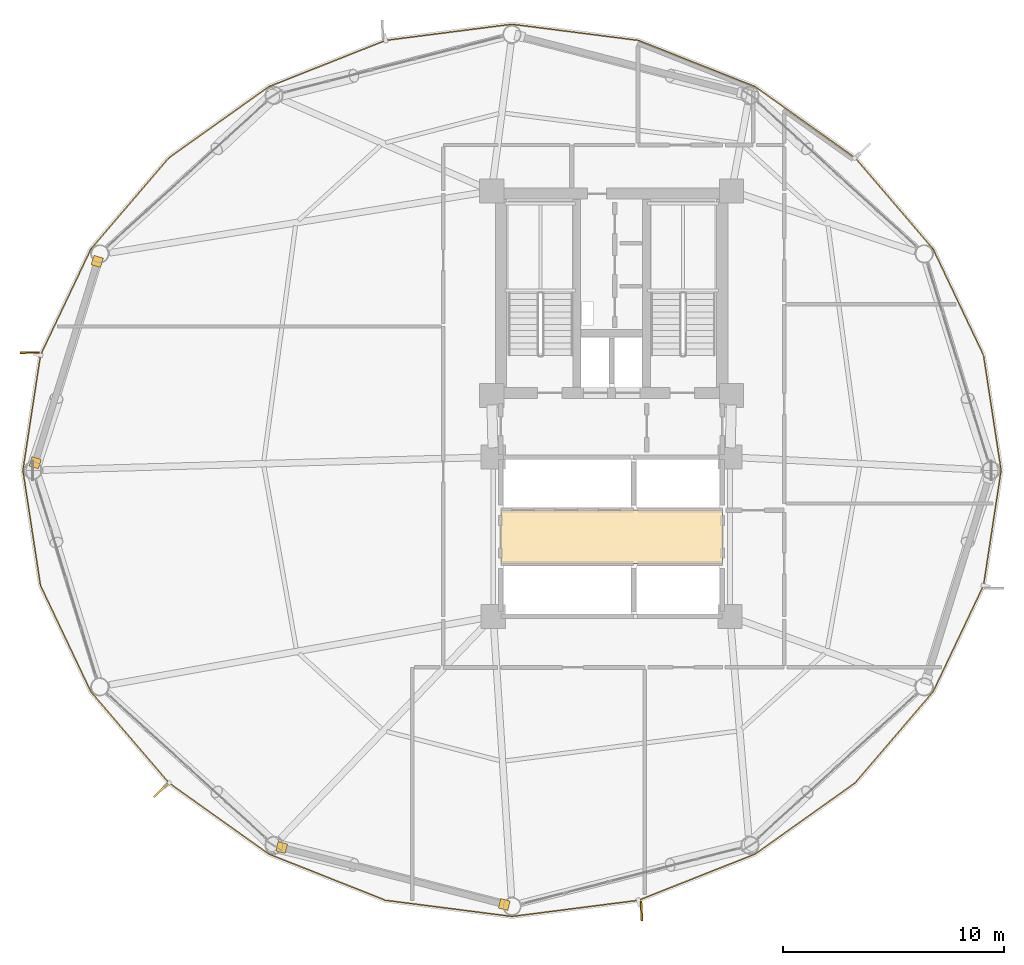
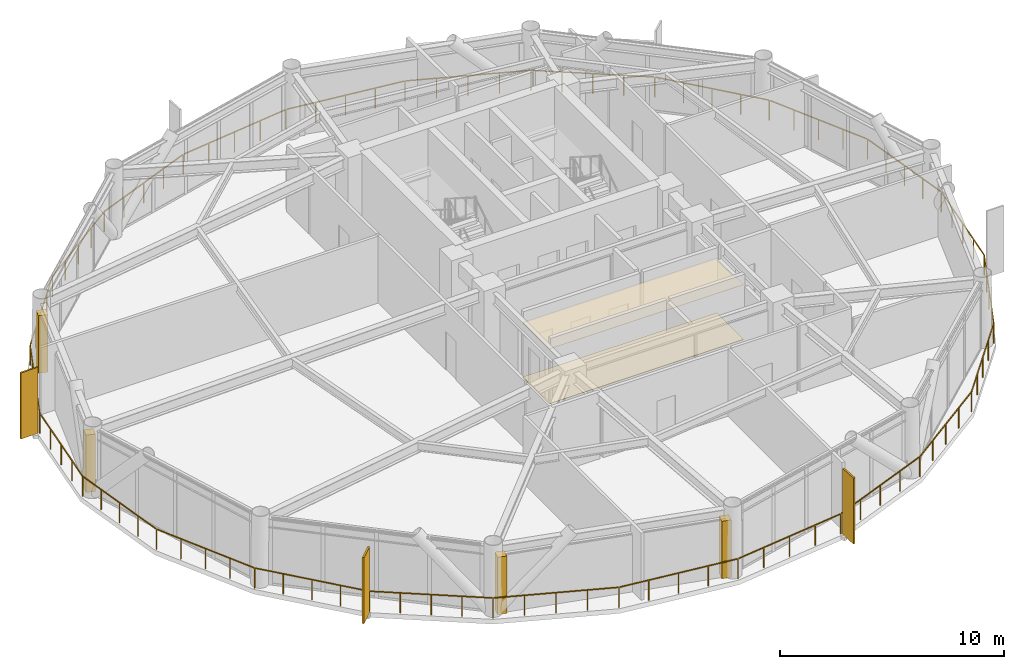
# One storey, part 23 of 25: 6 coverings, 3 shading devices, 1 railing.
"""IFC4 building model written with IfcOpenShell, lengths in metres."""

import ifcopenshell
import ifcopenshell.guid

model = None  # the IFC model being written
_history = None  # IfcOwnerHistory: only IFC2X3 demands one
_inside = {}  # id of a spatial element -> (the spatial element, [elements in it])
_under = {}  # id of a project, library or spatial element -> (it, [spatial elements below it])
_declared = {}  # id of a project -> (the project, [libraries it declares])
_typed = {}  # id of a type object -> (the type object, [elements of that type])
_made_of = {}  # id of a material, layer set ... -> (it, [elements and type objects made of it])


def new_model(schema):
    """Start an empty IFC model of exactly this schema.

    Asked for "IFC4X3", IfcOpenShell would pick the latest addendum, in which some entities
    have other attributes; the version numbers below select the first issue.
    IFC2X3 requires an IfcOwnerHistory on every rooted entity: one is made here for all.
    """
    global model, _history
    if schema == "IFC4X3":
        model = ifcopenshell.file(schema_version=(4, 3, 0, 0))
    else:
        model = ifcopenshell.file(schema=schema)
    _inside.clear()
    _under.clear()
    _declared.clear()
    _typed.clear()
    _made_of.clear()
    _history = None
    if model.schema == "IFC2X3":
        org = make("IfcOrganization", Name="unknown")
        user = make(
            "IfcPersonAndOrganization",
            ThePerson=make("IfcPerson", FamilyName="unknown"),
            TheOrganization=org,
        )
        app = make(
            "IfcApplication",
            ApplicationDeveloper=org,
            Version="unknown",
            ApplicationFullName="unknown",
            ApplicationIdentifier="unknown",
        )
        _history = make(
            "IfcOwnerHistory",
            OwningUser=user,
            OwningApplication=app,
            ChangeAction="ADDED",
            CreationDate=0,
        )
    return model


def make(cls, **values):
    """One entity of the class cls with the attributes given. An attribute that is None is left unset."""
    return model.create_entity(
        cls, **{name: value for name, value in values.items() if value is not None}
    )


def rooted(cls, **values):
    """An entity with a GlobalId (a new one), such as an element, a storey or a relation."""
    return make(cls, GlobalId=ifcopenshell.guid.new(), OwnerHistory=_history, **values)


def si_unit(unit_type, name, prefix=None):
    """IfcSIUnit, for example si_unit("LENGTHUNIT", "METRE", prefix="MILLI")."""
    return make("IfcSIUnit", UnitType=unit_type, Prefix=prefix, Name=name)


def assignment(units):
    """IfcUnitAssignment: the units of a project."""
    return None if units is None else make("IfcUnitAssignment", Units=units)


def point(xyz):
    """IfcCartesianPoint."""
    return None if xyz is None else make("IfcCartesianPoint", Coordinates=xyz)


def direction(xyz):
    """IfcDirection."""
    return None if xyz is None else make("IfcDirection", DirectionRatios=xyz)


def frame(location, z_axis=None, x_axis=None):
    """IfcAxis2Placement3D, a coordinate frame: its origin and axes. An axis left out is left unset."""
    return make(
        "IfcAxis2Placement3D",
        Location=point(location),
        Axis=direction(z_axis),
        RefDirection=direction(x_axis),
    )


def frame_2d(location, x_axis=None):
    """IfcAxis2Placement2D, a coordinate frame in the plane: its origin and x axis."""
    return make(
        "IfcAxis2Placement2D", Location=point(location), RefDirection=direction(x_axis)
    )


def origin():
    """The frame at (0, 0, 0) with its axes left unset."""
    return frame((0.0, 0.0, 0.0))


def origin_2d():
    """The frame at (0, 0) in the plane with its x axis left unset."""
    return frame_2d((0.0, 0.0))


def place(relative_to, where):
    """IfcLocalPlacement: puts the frame where relative to a parent placement (None: the world)."""
    return make(
        "IfcLocalPlacement", PlacementRelTo=relative_to, RelativePlacement=where
    )


def context(
    kind, dimensions, precision=None, world=None, true_north=None, identifier=None
):
    """IfcGeometricRepresentationContext, for example the 3D "Model" context."""
    return make(
        "IfcGeometricRepresentationContext",
        ContextIdentifier=identifier,
        ContextType=kind,
        CoordinateSpaceDimension=dimensions,
        Precision=precision,
        WorldCoordinateSystem=world,
        TrueNorth=true_north,
    )


def subcontext(parent, identifier, kind, view, scale=None):
    """IfcGeometricRepresentationSubContext, for example "Body" below "Model"."""
    return make(
        "IfcGeometricRepresentationSubContext",
        ContextIdentifier=identifier,
        ContextType=kind,
        ParentContext=parent,
        TargetScale=scale,
        TargetView=view,
    )


def project(units=None, contexts=None):
    """IfcProject with its units and contexts."""
    return rooted(
        "IfcProject",
        Name="project",
        RepresentationContexts=contexts,
        UnitsInContext=assignment(units),
    )


def spatial(cls, under=None, at=None, **own):
    """A site, building, storey or space (cls), placed at a placement, below another one or the project."""
    s = rooted(cls, ObjectPlacement=at, **own)
    if under is not None:
        _under.setdefault(under.id(), (under, []))[1].append(s)
    return s


def polyline(points):
    """IfcPolyline through the points."""
    return make("IfcPolyline", Points=[point(p) for p in points])


def profile(cls, at=None, kind="AREA", **sizes):
    """A parametric profile (cls). Its sizes go by their IFC names, for example OverallWidth=200.0."""
    return make(cls, ProfileType=kind, Position=at, **sizes)


def rectangle(**sizes):
    """IfcRectangleProfileDef."""
    return profile("IfcRectangleProfileDef", **sizes)


def outline(outer, holes=None, kind="AREA"):
    """IfcArbitraryClosedProfileDef: a profile drawn as a closed curve; with holes, ...WithVoids."""
    if holes is None:
        return make("IfcArbitraryClosedProfileDef", ProfileType=kind, OuterCurve=outer)
    return make(
        "IfcArbitraryProfileDefWithVoids",
        ProfileType=kind,
        OuterCurve=outer,
        InnerCurves=holes,
    )


def extrude(swept, where, along, depth):
    """IfcExtrudedAreaSolid: the profile swept, set in the frame where, extruded along a direction by depth."""
    return make(
        "IfcExtrudedAreaSolid",
        SweptArea=swept,
        Position=where,
        ExtrudedDirection=direction(along),
        Depth=depth,
    )


def shape(context_of_items, identifier, shape_type, items):
    """IfcShapeRepresentation: the items that make up one representation, for example the "Body"."""
    return make(
        "IfcShapeRepresentation",
        ContextOfItems=context_of_items,
        RepresentationIdentifier=identifier,
        RepresentationType=shape_type,
        Items=items,
    )


def source(mapping_origin, context_of_items, identifier, shape_type, items):
    """IfcRepresentationMap: a shape defined once, which mapped items show again and again."""
    return make(
        "IfcRepresentationMap",
        MappingOrigin=mapping_origin,
        MappedRepresentation=shape(context_of_items, identifier, shape_type, items),
    )


def transform(
    local_origin,
    x_axis=None,
    y_axis=None,
    z_axis=None,
    scale=None,
    scale2=None,
    scale3=None,
    uniform=True,
):
    """IfcCartesianTransformationOperator3D, or its non-uniform kind. x_axis, y_axis, z_axis: its Axis1, 2, 3."""
    if uniform:
        return make(
            "IfcCartesianTransformationOperator3D",
            Axis1=direction(x_axis),
            Axis2=direction(y_axis),
            LocalOrigin=point(local_origin),
            Scale=scale,
            Axis3=direction(z_axis),
        )
    return make(
        "IfcCartesianTransformationOperator3DnonUniform",
        Axis1=direction(x_axis),
        Axis2=direction(y_axis),
        LocalOrigin=point(local_origin),
        Scale=scale,
        Axis3=direction(z_axis),
        Scale2=scale2,
        Scale3=scale3,
    )


def mapped(mapping_source, mapping_target):
    """IfcMappedItem: shows the shape of a source again, moved by a transform."""
    return make(
        "IfcMappedItem", MappingSource=mapping_source, MappingTarget=mapping_target
    )


def material(Name=None, Category=None):
    """IfcMaterial."""
    return make("IfcMaterial", Name=Name, Category=Category)


def layer(
    of_material, thickness, ventilated=None, Name=None, Category=None, Priority=None
):
    """IfcMaterialLayer: one layer of a wall or slab, of a material (None: an air gap)."""
    return make(
        "IfcMaterialLayer",
        Material=of_material,
        LayerThickness=thickness,
        IsVentilated=ventilated,
        Name=Name,
        Category=Category,
        Priority=Priority,
    )


def layer_set(layers, Name=None):
    """IfcMaterialLayerSet."""
    return make("IfcMaterialLayerSet", MaterialLayers=layers, LayerSetName=Name)


def made_of(thing, what):
    """Note that an element or type object is made of a material, layer set ...; save() writes the relation."""
    if what is not None:
        _made_of.setdefault(what.id(), (what, []))[1].append(thing)
    return thing


def type_object(cls, material=None, **own):
    """A type object (cls), such as IfcWallType, which elements share."""
    return made_of(rooted(cls, **own), material)


def type_shapes(of_type, sources):
    """Give a type object the sources (RepresentationMaps) that its elements show as mapped items."""
    of_type.RepresentationMaps = sources


def element(
    cls,
    number,
    at=None,
    inside=None,
    cuts=None,
    type_object=None,
    material=None,
    context=None,
    identifier="Body",
    shape_type=None,
    held_by="IfcProductDefinitionShape",
    body=None,
    shapes=None,
    **own,
):
    """One element of the class cls, such as IfcWall. Its Tag is "e" and its number.

    at: its placement. inside: the storey or other place that contains it. cuts: it is an
    opening in that element (IfcRelVoidsElement). A single representation is given by context,
    identifier, shape_type and body (its items); several are given by shapes. held_by: the class
    of the entity that holds the representations. save() writes the other relations.
    """
    e = rooted(cls, Tag="e%d" % number, ObjectPlacement=at, **own)
    if body is not None:
        shapes = [shape(context, identifier, shape_type, body)]
    if shapes is not None:
        e.Representation = make(held_by, Representations=shapes)
    if inside is not None:
        _inside.setdefault(inside.id(), (inside, []))[1].append(e)
    if cuts is not None:
        rooted(
            "IfcRelVoidsElement", RelatingBuildingElement=cuts, RelatedOpeningElement=e
        )
    if type_object is not None:
        _typed.setdefault(type_object.id(), (type_object, []))[1].append(e)
    return made_of(e, material)


def aggregate(whole, parts):
    """IfcRelAggregates: a whole, such as a stair, and the parts it consists of."""
    return rooted("IfcRelAggregates", RelatingObject=whole, RelatedObjects=parts)


def save(model, path):
    """Write the relations noted so far, then the file.

    IfcRelAggregates (storeys below a building ...), IfcRelContainedInSpatialStructure (elements
    in a storey), IfcRelDefinesByType, IfcRelAssociatesMaterial and IfcRelDeclares: one each for
    every whole, place, type object, material and project.
    """
    for whole, parts in _under.values():
        aggregate(whole, parts)
    for where, things in _inside.values():
        rooted(
            "IfcRelContainedInSpatialStructure",
            RelatedElements=things,
            RelatingStructure=where,
        )
    for kind, things in _typed.values():
        rooted("IfcRelDefinesByType", RelatedObjects=things, RelatingType=kind)
    for what, things in _made_of.values():
        rooted("IfcRelAssociatesMaterial", RelatedObjects=things, RelatingMaterial=what)
    for by, libraries in _declared.values():
        rooted("IfcRelDeclares", RelatingContext=by, RelatedDefinitions=libraries)
    model.write(path)


model = new_model("IFC4")

# Units and contexts
model_context = context("Model", 3, precision=1e-05, world=origin(), true_north=direction((0.0, 1.0)))
body_context = subcontext(model_context, "Body", "Model", "MODEL_VIEW")
ifc_project = project(units=[si_unit("LENGTHUNIT", "METRE"), si_unit("AREAUNIT", "SQUARE_METRE"), si_unit("VOLUMEUNIT", "CUBIC_METRE"), si_unit("PLANEANGLEUNIT", "RADIAN"), si_unit("MASSUNIT", "GRAM", prefix="KILO")], contexts=[model_context])

# Site, building, storey
site_placement = place(None, origin())
site = spatial("IfcSite", under=ifc_project, at=site_placement, CompositionType="ELEMENT")
building_placement = place(site_placement, origin())
building = spatial("IfcBuilding", under=site, at=building_placement, Name="Varnakorn Sky Granary", CompositionType="ELEMENT")
storey_placement = place(building_placement, frame((0.0, 0.0, 99.300048828125)))
storey = spatial("IfcBuildingStorey", under=building, at=storey_placement, Name="L24", CompositionType="ELEMENT", Elevation=99.300048828125)

# Coverings
ifc_material_1 = material(Name="Perforated Acoustic Mineral-Fibre Ceiling", Category="gypsum")
ifc_layer_1 = layer(ifc_material_1, 0.02001953125, Name="Perforated Acoustic Mineral-Fibre Ceiling")
ifc_layer_set_1 = layer_set([ifc_layer_1], Name="Perforated Acoustic Mineral-Fibre Ceiling")
covering_type_1 = type_object("IfcCoveringType", Name="CV-CEIL-20", PredefinedType="CEILING", material=ifc_layer_set_1)
covering_1_placement = place(storey_placement, frame((0.0, 0.0, 2.989990234375)))
element("IfcCovering", 1, at=covering_1_placement, inside=storey, type_object=covering_type_1, Name="Lift Lobby Perforated Acoustic Ceiling L24", PredefinedType="CEILING", context=body_context, shape_type="SweptSolid", body=[
    extrude(outline(polyline([(-2.0, -4.199951171875), (8.0, -4.199951171875), (8.0, -1.800048828125), (-2.0, -1.800048828125), (-2.0, -4.199951171875)])), origin(), (0.0, 0.0, 1.0), 0.02001953125),
])
ifc_material_2 = material(Name="Honed Epoxy Terrazzo Topping", Category="concrete")
ifc_layer_2 = layer(ifc_material_2, 0.030029296875, Name="Honed Epoxy Terrazzo Topping")
ifc_layer_set_2 = layer_set([ifc_layer_2], Name="Honed Epoxy Terrazzo Topping")
covering_type_2 = type_object("IfcCoveringType", Name="CV-FLOR-30", PredefinedType="FLOORING", material=ifc_layer_set_2)
covering_2_placement = place(storey_placement, origin())
element("IfcCovering", 2, at=covering_2_placement, inside=storey, type_object=covering_type_2, Name="Lift Lobby Terrazzo Floor Finish L24", PredefinedType="FLOORING", context=body_context, shape_type="SweptSolid", body=[
    extrude(outline(polyline([(-2.0, -4.199951171875), (8.0, -4.199951171875), (8.0, -1.800048828125), (-2.0, -1.800048828125), (-2.0, -4.199951171875)])), origin(), (0.0, 0.0, 1.0), 0.030029296875),
])

# Railing
ifc_material_3 = material(Name="Anodised Bronze Aluminium Alloy 6063-T6", Category="aluminium")
railing_type = type_object("IfcRailingType", Name="RL-BAL-1120", PredefinedType="BALUSTRADE", material=ifc_material_3)
railing_placement = place(storey_placement, frame((20.598876953125, 0.0, 0.0)))
element("IfcRailing", 3, at=railing_placement, inside=storey, type_object=railing_type, Name="Perimeter Slab-Edge Safety Guard L24", PredefinedType="BALUSTRADE", context=body_context, shape_type="SweptSolid", body=[
    extrude(rectangle(XDim=0.048095703125, YDim=0.048095703125, at=origin_2d()), frame((-0.004150390625, -0.027587890625, 1.09619140625), z_axis=(-0.151157632081, -0.988509671305, 0.0), x_axis=(0.988509671305, -0.151157632081, 0.0)), (0.0, 0.0, 1.0), 5.2060546875),
    extrude(rectangle(XDim=0.048095703125, YDim=0.048095703125, at=origin_2d()), frame((-0.807373046875, -5.22705078125, 1.09619140625), z_axis=(-0.428587570333, -0.903500246019, 0.0), x_axis=(0.903500246019, -0.428587570333, 0.0)), (0.0, 0.0, 1.0), 5.261474609375),
    extrude(rectangle(XDim=0.048095703125, YDim=0.048095703125, at=origin_2d()), frame((-3.0927734375, -10.02734375, 1.09619140625), z_axis=(-0.650130504047, -0.759822563305, 0.0), x_axis=(0.759822563305, -0.650130504047, 0.0)), (0.0, 0.0, 1.0), 5.361328125),
    extrude(rectangle(XDim=0.048095703125, YDim=0.048095703125, at=origin_2d()), frame((-6.619140625, -14.138427734375, 1.09619140625), z_axis=(-0.814743645483, -0.579821345024, 0.0), x_axis=(0.579821345024, -0.814743645483, 0.0)), (0.0, 0.0, 1.0), 5.489501953125),
    extrude(rectangle(XDim=0.048095703125, YDim=0.048095703125, at=origin_2d()), frame((-11.140625, -17.347900390625, 1.09619140625), z_axis=(-0.929809067339, -0.368042250692, 0.0), x_axis=(0.368042250692, -0.929809067339, 0.0)), (0.0, 0.0, 1.0), 5.61767578125),
    extrude(rectangle(XDim=0.048095703125, YDim=0.048095703125, at=origin_2d()), frame((-16.417724609375, -19.429443359375, 1.09619140625), z_axis=(-0.991913461188, -0.126916056957, 0.0), x_axis=(0.126916056957, -0.991913461188, 0.0)), (0.0, 0.0, 1.0), 5.699462890625),
    extrude(rectangle(XDim=0.048095703125, YDim=0.048095703125, at=origin_2d()), frame((-22.126708984375, -20.152587890625, 1.09619140625), z_axis=(-0.991913461188, 0.126916056957, 0.0), x_axis=(-0.126916056957, -0.991913461188, 0.0)), (0.0, 0.0, 1.0), 5.699462890625),
    extrude(rectangle(XDim=0.048095703125, YDim=0.048095703125, at=origin_2d()), frame((-27.833984375, -19.41552734375, 1.09619140625), z_axis=(-0.929809067339, 0.368042250692, 0.0), x_axis=(-0.368042250692, -0.929809067339, 0.0)), (0.0, 0.0, 1.0), 5.61767578125),
    extrude(rectangle(XDim=0.048095703125, YDim=0.048095703125, at=origin_2d()), frame((-33.10595703125, -17.321533203125, 1.09619140625), z_axis=(-0.814743645483, 0.579821345024, 0.0), x_axis=(-0.579821345024, -0.814743645483, 0.0)), (0.0, 0.0, 1.0), 5.489501953125),
    extrude(rectangle(XDim=0.048095703125, YDim=0.048095703125, at=origin_2d()), frame((-37.61962890625, -14.10107421875, 1.09619140625), z_axis=(-0.650130504047, 0.759822563305, 0.0), x_axis=(-0.759822563305, -0.650130504047, 0.0)), (0.0, 0.0, 1.0), 5.361328125),
    extrude(rectangle(XDim=0.048095703125, YDim=0.048095703125, at=origin_2d()), frame((-41.13525390625, -9.980712890625, 1.09619140625), z_axis=(-0.428587570333, 0.903500246019, 0.0), x_axis=(-0.903500246019, -0.428587570333, 0.0)), (0.0, 0.0, 1.0), 5.261474609375),
    extrude(rectangle(XDim=0.048095703125, YDim=0.048095703125, at=origin_2d()), frame((-43.406494140625, -5.174072265625, 1.09619140625), z_axis=(-0.151157632081, 0.988509671305, 0.0), x_axis=(-0.988509671305, -0.151157632081, 0.0)), (0.0, 0.0, 1.0), 5.2060546875),
    extrude(rectangle(XDim=0.048095703125, YDim=0.048095703125, at=origin_2d()), frame((-44.193603515625, 0.027587890625, 1.09619140625), z_axis=(0.151157632081, 0.988509671305, 0.0), x_axis=(-0.988509671305, 0.151157632081, 0.0)), (0.0, 0.0, 1.0), 5.2060546875),
    extrude(rectangle(XDim=0.048095703125, YDim=0.048095703125, at=origin_2d()), frame((-43.390380859375, 5.22705078125, 1.09619140625), z_axis=(0.428587570333, 0.903500246019, 0.0), x_axis=(-0.903500246019, 0.428587570333, 0.0)), (0.0, 0.0, 1.0), 5.261474609375),
    extrude(rectangle(XDim=0.048095703125, YDim=0.048095703125, at=origin_2d()), frame((-41.10498046875, 10.02734375, 1.09619140625), z_axis=(0.650130504047, 0.759822563305, 0.0), x_axis=(-0.759822563305, 0.650130504047, 0.0)), (0.0, 0.0, 1.0), 5.361328125),
    extrude(rectangle(XDim=0.048095703125, YDim=0.048095703125, at=origin_2d()), frame((-37.57861328125, 14.138427734375, 1.09619140625), z_axis=(0.814743645483, 0.579821345024, 0.0), x_axis=(-0.579821345024, 0.814743645483, 0.0)), (0.0, 0.0, 1.0), 5.489501953125),
    extrude(rectangle(XDim=0.048095703125, YDim=0.048095703125, at=origin_2d()), frame((-33.05712890625, 17.347900390625, 1.09619140625), z_axis=(0.929809067339, 0.368042250692, 0.0), x_axis=(-0.368042250692, 0.929809067339, 0.0)), (0.0, 0.0, 1.0), 5.61767578125),
    extrude(rectangle(XDim=0.048095703125, YDim=0.048095703125, at=origin_2d()), frame((-27.780029296875, 19.429443359375, 1.09619140625), z_axis=(0.991913461188, 0.126916056957, 0.0), x_axis=(-0.126916056957, 0.991913461188, 0.0)), (0.0, 0.0, 1.0), 5.699462890625),
    extrude(rectangle(XDim=0.048095703125, YDim=0.048095703125, at=origin_2d()), frame((-22.071044921875, 20.152587890625, 1.09619140625), z_axis=(0.991913461188, -0.126916056957, 0.0), x_axis=(0.126916056957, 0.991913461188, 0.0)), (0.0, 0.0, 1.0), 5.699462890625),
    extrude(rectangle(XDim=0.048095703125, YDim=0.048095703125, at=origin_2d()), frame((-16.36376953125, 19.41552734375, 1.09619140625), z_axis=(0.929809067339, -0.368042250692, 0.0), x_axis=(0.368042250692, 0.929809067339, 0.0)), (0.0, 0.0, 1.0), 5.61767578125),
    extrude(rectangle(XDim=0.048095703125, YDim=0.048095703125, at=origin_2d()), frame((-11.091796875, 17.321533203125, 1.09619140625), z_axis=(0.814743645483, -0.579821345024, 0.0), x_axis=(0.579821345024, 0.814743645483, 0.0)), (0.0, 0.0, 1.0), 5.489501953125),
    extrude(rectangle(XDim=0.048095703125, YDim=0.048095703125, at=origin_2d()), frame((-6.578125, 14.10107421875, 1.09619140625), z_axis=(0.650130504047, -0.759822563305, 0.0), x_axis=(0.759822563305, 0.650130504047, 0.0)), (0.0, 0.0, 1.0), 5.361328125),
    extrude(rectangle(XDim=0.048095703125, YDim=0.048095703125, at=origin_2d()), frame((-3.0625, 9.980712890625, 1.09619140625), z_axis=(0.428587570333, -0.903500246019, 0.0), x_axis=(0.903500246019, 0.428587570333, 0.0)), (0.0, 0.0, 1.0), 5.261474609375),
    extrude(rectangle(XDim=0.048095703125, YDim=0.048095703125, at=origin_2d()), frame((-0.791259765625, 5.174072265625, 1.09619140625), z_axis=(0.151157632081, -0.988509671305, 0.0), x_axis=(0.988509671305, 0.151157632081, 0.0)), (0.0, 0.0, 1.0), 5.2060546875),
    extrude(rectangle(XDim=0.0419921875, YDim=0.0419921875, at=origin_2d()), origin(), (0.0, 0.0, 1.0), 1.068115234375),
    extrude(rectangle(XDim=0.0419921875, YDim=0.0419921875, at=origin_2d()), frame((-0.19873046875, -1.30029296875, 0.0)), (0.0, 0.0, 1.0), 1.068115234375),
    extrude(rectangle(XDim=0.0419921875, YDim=0.0419921875, at=origin_2d()), frame((-0.397705078125, -2.600830078125, 0.0)), (0.0, 0.0, 1.0), 1.068115234375),
    extrude(rectangle(XDim=0.0419921875, YDim=0.0419921875, at=origin_2d()), frame((-0.5966796875, -3.9013671875, 0.0)), (0.0, 0.0, 1.0), 1.068115234375),
    extrude(rectangle(XDim=0.0419921875, YDim=0.0419921875, at=origin_2d()), frame((-0.79541015625, -5.20166015625, 0.0)), (0.0, 0.0, 1.0), 1.068115234375),
    extrude(rectangle(XDim=0.0419921875, YDim=0.0419921875, at=origin_2d()), frame((-1.365234375, -6.40283203125, 0.0)), (0.0, 0.0, 1.0), 1.068115234375),
    extrude(rectangle(XDim=0.0419921875, YDim=0.0419921875, at=origin_2d()), frame((-1.93505859375, -7.60400390625, 0.0)), (0.0, 0.0, 1.0), 1.068115234375),
    extrude(rectangle(XDim=0.0419921875, YDim=0.0419921875, at=origin_2d()), frame((-2.504638671875, -8.804931640625, 0.0)), (0.0, 0.0, 1.0), 1.068115234375),
    extrude(rectangle(XDim=0.0419921875, YDim=0.0419921875, at=origin_2d()), frame((-3.074462890625, -10.006103515625, 0.0)), (0.0, 0.0, 1.0), 1.068115234375),
    extrude(rectangle(XDim=0.0419921875, YDim=0.0419921875, at=origin_2d()), frame((-3.955078125, -11.03515625, 0.0)), (0.0, 0.0, 1.0), 1.068115234375),
    extrude(rectangle(XDim=0.0419921875, YDim=0.0419921875, at=origin_2d()), frame((-4.83544921875, -12.064208984375, 0.0)), (0.0, 0.0, 1.0), 1.068115234375),
    extrude(rectangle(XDim=0.0419921875, YDim=0.0419921875, at=origin_2d()), frame((-5.7158203125, -13.09326171875, 0.0)), (0.0, 0.0, 1.0), 1.068115234375),
    extrude(rectangle(XDim=0.0419921875, YDim=0.0419921875, at=origin_2d()), frame((-6.596435546875, -14.122314453125, 0.0)), (0.0, 0.0, 1.0), 1.068115234375),
    extrude(rectangle(XDim=0.0419921875, YDim=0.0419921875, at=origin_2d()), frame((-7.72607421875, -14.92626953125, 0.0)), (0.0, 0.0, 1.0), 1.068115234375),
    extrude(rectangle(XDim=0.0419921875, YDim=0.0419921875, at=origin_2d()), frame((-8.85546875, -15.72998046875, 0.0)), (0.0, 0.0, 1.0), 1.068115234375),
    extrude(rectangle(XDim=0.0419921875, YDim=0.0419921875, at=origin_2d()), frame((-9.98486328125, -16.53369140625, 0.0)), (0.0, 0.0, 1.0), 1.068115234375),
    extrude(rectangle(XDim=0.0419921875, YDim=0.0419921875, at=origin_2d()), frame((-11.114501953125, -17.337646484375, 0.0)), (0.0, 0.0, 1.0), 1.068115234375),
    extrude(rectangle(XDim=0.0419921875, YDim=0.0419921875, at=origin_2d()), frame((-12.433349609375, -17.859619140625, 0.0)), (0.0, 0.0, 1.0), 1.068115234375),
    extrude(rectangle(XDim=0.0419921875, YDim=0.0419921875, at=origin_2d()), frame((-13.752197265625, -18.3818359375, 0.0)), (0.0, 0.0, 1.0), 1.068115234375),
    extrude(rectangle(XDim=0.0419921875, YDim=0.0419921875, at=origin_2d()), frame((-15.071044921875, -18.90380859375, 0.0)), (0.0, 0.0, 1.0), 1.068115234375),
    extrude(rectangle(XDim=0.0419921875, YDim=0.0419921875, at=origin_2d()), frame((-16.389892578125, -19.42578125, 0.0)), (0.0, 0.0, 1.0), 1.068115234375),
    extrude(rectangle(XDim=0.0419921875, YDim=0.0419921875, at=origin_2d()), frame((-17.817138671875, -19.6083984375, 0.0)), (0.0, 0.0, 1.0), 1.068115234375),
    extrude(rectangle(XDim=0.0419921875, YDim=0.0419921875, at=origin_2d()), frame((-19.244384765625, -19.791015625, 0.0)), (0.0, 0.0, 1.0), 1.068115234375),
    extrude(rectangle(XDim=0.0419921875, YDim=0.0419921875, at=origin_2d()), frame((-20.671630859375, -19.9736328125, 0.0)), (0.0, 0.0, 1.0), 1.068115234375),
    extrude(rectangle(XDim=0.0419921875, YDim=0.0419921875, at=origin_2d()), frame((-22.098876953125, -20.15625, 0.0)), (0.0, 0.0, 1.0), 1.068115234375),
    extrude(rectangle(XDim=0.0419921875, YDim=0.0419921875, at=origin_2d()), frame((-23.526123046875, -19.9736328125, 0.0)), (0.0, 0.0, 1.0), 1.068115234375),
    extrude(rectangle(XDim=0.0419921875, YDim=0.0419921875, at=origin_2d()), frame((-24.953369140625, -19.791015625, 0.0)), (0.0, 0.0, 1.0), 1.068115234375),
    extrude(rectangle(XDim=0.0419921875, YDim=0.0419921875, at=origin_2d()), frame((-26.380615234375, -19.6083984375, 0.0)), (0.0, 0.0, 1.0), 1.068115234375),
    extrude(rectangle(XDim=0.0419921875, YDim=0.0419921875, at=origin_2d()), frame((-27.807861328125, -19.42578125, 0.0)), (0.0, 0.0, 1.0), 1.068115234375),
    extrude(rectangle(XDim=0.0419921875, YDim=0.0419921875, at=origin_2d()), frame((-29.126708984375, -18.90380859375, 0.0)), (0.0, 0.0, 1.0), 1.068115234375),
    extrude(rectangle(XDim=0.0419921875, YDim=0.0419921875, at=origin_2d()), frame((-30.445556640625, -18.3818359375, 0.0)), (0.0, 0.0, 1.0), 1.068115234375),
    extrude(rectangle(XDim=0.0419921875, YDim=0.0419921875, at=origin_2d()), frame((-31.764404296875, -17.859619140625, 0.0)), (0.0, 0.0, 1.0), 1.068115234375),
    extrude(rectangle(XDim=0.0419921875, YDim=0.0419921875, at=origin_2d()), frame((-33.083251953125, -17.337646484375, 0.0)), (0.0, 0.0, 1.0), 1.068115234375),
    extrude(rectangle(XDim=0.0419921875, YDim=0.0419921875, at=origin_2d()), frame((-34.212890625, -16.53369140625, 0.0)), (0.0, 0.0, 1.0), 1.068115234375),
    extrude(rectangle(XDim=0.0419921875, YDim=0.0419921875, at=origin_2d()), frame((-35.34228515625, -15.72998046875, 0.0)), (0.0, 0.0, 1.0), 1.068115234375),
    extrude(rectangle(XDim=0.0419921875, YDim=0.0419921875, at=origin_2d()), frame((-36.4716796875, -14.92626953125, 0.0)), (0.0, 0.0, 1.0), 1.068115234375),
    extrude(rectangle(XDim=0.0419921875, YDim=0.0419921875, at=origin_2d()), frame((-37.601318359375, -14.122314453125, 0.0)), (0.0, 0.0, 1.0), 1.068115234375),
    extrude(rectangle(XDim=0.0419921875, YDim=0.0419921875, at=origin_2d()), frame((-38.48193359375, -13.09326171875, 0.0)), (0.0, 0.0, 1.0), 1.068115234375),
    extrude(rectangle(XDim=0.0419921875, YDim=0.0419921875, at=origin_2d()), frame((-39.3623046875, -12.064208984375, 0.0)), (0.0, 0.0, 1.0), 1.068115234375),
    extrude(rectangle(XDim=0.0419921875, YDim=0.0419921875, at=origin_2d()), frame((-40.24267578125, -11.03515625, 0.0)), (0.0, 0.0, 1.0), 1.068115234375),
    extrude(rectangle(XDim=0.0419921875, YDim=0.0419921875, at=origin_2d()), frame((-41.123291015625, -10.006103515625, 0.0)), (0.0, 0.0, 1.0), 1.068115234375),
    extrude(rectangle(XDim=0.0419921875, YDim=0.0419921875, at=origin_2d()), frame((-41.693115234375, -8.804931640625, 0.0)), (0.0, 0.0, 1.0), 1.068115234375),
    extrude(rectangle(XDim=0.0419921875, YDim=0.0419921875, at=origin_2d()), frame((-42.2626953125, -7.60400390625, 0.0)), (0.0, 0.0, 1.0), 1.068115234375),
    extrude(rectangle(XDim=0.0419921875, YDim=0.0419921875, at=origin_2d()), frame((-42.83251953125, -6.40283203125, 0.0)), (0.0, 0.0, 1.0), 1.068115234375),
    extrude(rectangle(XDim=0.0419921875, YDim=0.0419921875, at=origin_2d()), frame((-43.40234375, -5.20166015625, 0.0)), (0.0, 0.0, 1.0), 1.068115234375),
    extrude(rectangle(XDim=0.0419921875, YDim=0.0419921875, at=origin_2d()), frame((-43.60107421875, -3.9013671875, 0.0)), (0.0, 0.0, 1.0), 1.068115234375),
    extrude(rectangle(XDim=0.0419921875, YDim=0.0419921875, at=origin_2d()), frame((-43.800048828125, -2.600830078125, 0.0)), (0.0, 0.0, 1.0), 1.068115234375),
    extrude(rectangle(XDim=0.0419921875, YDim=0.0419921875, at=origin_2d()), frame((-43.9990234375, -1.30029296875, 0.0)), (0.0, 0.0, 1.0), 1.068115234375),
    extrude(rectangle(XDim=0.0419921875, YDim=0.0419921875, at=origin_2d()), frame((-44.19775390625, 0.0, 0.0)), (0.0, 0.0, 1.0), 1.068115234375),
    extrude(rectangle(XDim=0.0419921875, YDim=0.0419921875, at=origin_2d()), frame((-43.9990234375, 1.30029296875, 0.0)), (0.0, 0.0, 1.0), 1.068115234375),
    extrude(rectangle(XDim=0.0419921875, YDim=0.0419921875, at=origin_2d()), frame((-43.800048828125, 2.600830078125, 0.0)), (0.0, 0.0, 1.0), 1.068115234375),
    extrude(rectangle(XDim=0.0419921875, YDim=0.0419921875, at=origin_2d()), frame((-43.60107421875, 3.9013671875, 0.0)), (0.0, 0.0, 1.0), 1.068115234375),
    extrude(rectangle(XDim=0.0419921875, YDim=0.0419921875, at=origin_2d()), frame((-43.40234375, 5.20166015625, 0.0)), (0.0, 0.0, 1.0), 1.068115234375),
    extrude(rectangle(XDim=0.0419921875, YDim=0.0419921875, at=origin_2d()), frame((-42.83251953125, 6.40283203125, 0.0)), (0.0, 0.0, 1.0), 1.068115234375),
    extrude(rectangle(XDim=0.0419921875, YDim=0.0419921875, at=origin_2d()), frame((-42.2626953125, 7.60400390625, 0.0)), (0.0, 0.0, 1.0), 1.068115234375),
    extrude(rectangle(XDim=0.0419921875, YDim=0.0419921875, at=origin_2d()), frame((-41.693115234375, 8.804931640625, 0.0)), (0.0, 0.0, 1.0), 1.068115234375),
    extrude(rectangle(XDim=0.0419921875, YDim=0.0419921875, at=origin_2d()), frame((-41.123291015625, 10.006103515625, 0.0)), (0.0, 0.0, 1.0), 1.068115234375),
    extrude(rectangle(XDim=0.0419921875, YDim=0.0419921875, at=origin_2d()), frame((-40.24267578125, 11.03515625, 0.0)), (0.0, 0.0, 1.0), 1.068115234375),
    extrude(rectangle(XDim=0.0419921875, YDim=0.0419921875, at=origin_2d()), frame((-39.3623046875, 12.064208984375, 0.0)), (0.0, 0.0, 1.0), 1.068115234375),
    extrude(rectangle(XDim=0.0419921875, YDim=0.0419921875, at=origin_2d()), frame((-38.48193359375, 13.09326171875, 0.0)), (0.0, 0.0, 1.0), 1.068115234375),
    extrude(rectangle(XDim=0.0419921875, YDim=0.0419921875, at=origin_2d()), frame((-37.601318359375, 14.122314453125, 0.0)), (0.0, 0.0, 1.0), 1.068115234375),
    extrude(rectangle(XDim=0.0419921875, YDim=0.0419921875, at=origin_2d()), frame((-36.4716796875, 14.92626953125, 0.0)), (0.0, 0.0, 1.0), 1.068115234375),
    extrude(rectangle(XDim=0.0419921875, YDim=0.0419921875, at=origin_2d()), frame((-35.34228515625, 15.72998046875, 0.0)), (0.0, 0.0, 1.0), 1.068115234375),
    extrude(rectangle(XDim=0.0419921875, YDim=0.0419921875, at=origin_2d()), frame((-34.212890625, 16.53369140625, 0.0)), (0.0, 0.0, 1.0), 1.068115234375),
    extrude(rectangle(XDim=0.0419921875, YDim=0.0419921875, at=origin_2d()), frame((-33.083251953125, 17.337646484375, 0.0)), (0.0, 0.0, 1.0), 1.068115234375),
    extrude(rectangle(XDim=0.0419921875, YDim=0.0419921875, at=origin_2d()), frame((-31.764404296875, 17.859619140625, 0.0)), (0.0, 0.0, 1.0), 1.068115234375),
    extrude(rectangle(XDim=0.0419921875, YDim=0.0419921875, at=origin_2d()), frame((-30.445556640625, 18.3818359375, 0.0)), (0.0, 0.0, 1.0), 1.068115234375),
    extrude(rectangle(XDim=0.0419921875, YDim=0.0419921875, at=origin_2d()), frame((-29.126708984375, 18.90380859375, 0.0)), (0.0, 0.0, 1.0), 1.068115234375),
    extrude(rectangle(XDim=0.0419921875, YDim=0.0419921875, at=origin_2d()), frame((-27.807861328125, 19.42578125, 0.0)), (0.0, 0.0, 1.0), 1.068115234375),
    extrude(rectangle(XDim=0.0419921875, YDim=0.0419921875, at=origin_2d()), frame((-26.380615234375, 19.6083984375, 0.0)), (0.0, 0.0, 1.0), 1.068115234375),
    extrude(rectangle(XDim=0.0419921875, YDim=0.0419921875, at=origin_2d()), frame((-24.953369140625, 19.791015625, 0.0)), (0.0, 0.0, 1.0), 1.068115234375),
    extrude(rectangle(XDim=0.0419921875, YDim=0.0419921875, at=origin_2d()), frame((-23.526123046875, 19.9736328125, 0.0)), (0.0, 0.0, 1.0), 1.068115234375),
    extrude(rectangle(XDim=0.0419921875, YDim=0.0419921875, at=origin_2d()), frame((-22.098876953125, 20.15625, 0.0)), (0.0, 0.0, 1.0), 1.068115234375),
    extrude(rectangle(XDim=0.0419921875, YDim=0.0419921875, at=origin_2d()), frame((-20.671630859375, 19.9736328125, 0.0)), (0.0, 0.0, 1.0), 1.068115234375),
    extrude(rectangle(XDim=0.0419921875, YDim=0.0419921875, at=origin_2d()), frame((-19.244384765625, 19.791015625, 0.0)), (0.0, 0.0, 1.0), 1.068115234375),
    extrude(rectangle(XDim=0.0419921875, YDim=0.0419921875, at=origin_2d()), frame((-17.817138671875, 19.6083984375, 0.0)), (0.0, 0.0, 1.0), 1.068115234375),
    extrude(rectangle(XDim=0.0419921875, YDim=0.0419921875, at=origin_2d()), frame((-16.389892578125, 19.42578125, 0.0)), (0.0, 0.0, 1.0), 1.068115234375),
    extrude(rectangle(XDim=0.0419921875, YDim=0.0419921875, at=origin_2d()), frame((-15.071044921875, 18.90380859375, 0.0)), (0.0, 0.0, 1.0), 1.068115234375),
    extrude(rectangle(XDim=0.0419921875, YDim=0.0419921875, at=origin_2d()), frame((-13.752197265625, 18.3818359375, 0.0)), (0.0, 0.0, 1.0), 1.068115234375),
    extrude(rectangle(XDim=0.0419921875, YDim=0.0419921875, at=origin_2d()), frame((-12.433349609375, 17.859619140625, 0.0)), (0.0, 0.0, 1.0), 1.068115234375),
    extrude(rectangle(XDim=0.0419921875, YDim=0.0419921875, at=origin_2d()), frame((-11.114501953125, 17.337646484375, 0.0)), (0.0, 0.0, 1.0), 1.068115234375),
    extrude(rectangle(XDim=0.0419921875, YDim=0.0419921875, at=origin_2d()), frame((-9.98486328125, 16.53369140625, 0.0)), (0.0, 0.0, 1.0), 1.068115234375),
    extrude(rectangle(XDim=0.0419921875, YDim=0.0419921875, at=origin_2d()), frame((-8.85546875, 15.72998046875, 0.0)), (0.0, 0.0, 1.0), 1.068115234375),
    extrude(rectangle(XDim=0.0419921875, YDim=0.0419921875, at=origin_2d()), frame((-7.72607421875, 14.92626953125, 0.0)), (0.0, 0.0, 1.0), 1.068115234375),
    extrude(rectangle(XDim=0.0419921875, YDim=0.0419921875, at=origin_2d()), frame((-6.596435546875, 14.122314453125, 0.0)), (0.0, 0.0, 1.0), 1.068115234375),
    extrude(rectangle(XDim=0.0419921875, YDim=0.0419921875, at=origin_2d()), frame((-5.7158203125, 13.09326171875, 0.0)), (0.0, 0.0, 1.0), 1.068115234375),
    extrude(rectangle(XDim=0.0419921875, YDim=0.0419921875, at=origin_2d()), frame((-4.83544921875, 12.064208984375, 0.0)), (0.0, 0.0, 1.0), 1.068115234375),
    extrude(rectangle(XDim=0.0419921875, YDim=0.0419921875, at=origin_2d()), frame((-3.955078125, 11.03515625, 0.0)), (0.0, 0.0, 1.0), 1.068115234375),
    extrude(rectangle(XDim=0.0419921875, YDim=0.0419921875, at=origin_2d()), frame((-3.074462890625, 10.006103515625, 0.0)), (0.0, 0.0, 1.0), 1.068115234375),
    extrude(rectangle(XDim=0.0419921875, YDim=0.0419921875, at=origin_2d()), frame((-2.504638671875, 8.804931640625, 0.0)), (0.0, 0.0, 1.0), 1.068115234375),
    extrude(rectangle(XDim=0.0419921875, YDim=0.0419921875, at=origin_2d()), frame((-1.93505859375, 7.60400390625, 0.0)), (0.0, 0.0, 1.0), 1.068115234375),
    extrude(rectangle(XDim=0.0419921875, YDim=0.0419921875, at=origin_2d()), frame((-1.365234375, 6.40283203125, 0.0)), (0.0, 0.0, 1.0), 1.068115234375),
    extrude(rectangle(XDim=0.0419921875, YDim=0.0419921875, at=origin_2d()), frame((-0.79541015625, 5.20166015625, 0.0)), (0.0, 0.0, 1.0), 1.068115234375),
    extrude(rectangle(XDim=0.0419921875, YDim=0.0419921875, at=origin_2d()), frame((-0.5966796875, 3.9013671875, 0.0)), (0.0, 0.0, 1.0), 1.068115234375),
    extrude(rectangle(XDim=0.0419921875, YDim=0.0419921875, at=origin_2d()), frame((-0.397705078125, 2.600830078125, 0.0)), (0.0, 0.0, 1.0), 1.068115234375),
    extrude(rectangle(XDim=0.0419921875, YDim=0.0419921875, at=origin_2d()), frame((-0.19873046875, 1.30029296875, 0.0)), (0.0, 0.0, 1.0), 1.068115234375),
])

# Shading devices
shading_device_type = type_object("IfcShadingDeviceType", Name="SH-FIN-01", PredefinedType="USERDEFINED", material=ifc_material_3)
shared_shape_1 = source(origin(), body_context, "Body", "SweptSolid", [
    extrude(rectangle(XDim=0.0849609375, YDim=0.8798828125, at=origin_2d()), origin(), (0.0, 0.0, 1.0), 3.60009765625),
])
type_shapes(shading_device_type, [shared_shape_1])
for number, where, z_axis, x_axis, name in (
    (4, (-23.289306640625, 5.323486328125, -0.0400390625), (0.0, 0.0, 1.0), (0.008163944304, -0.999966674451, 0.0), "Bronze Solar-Tracking Vertical Blade FIN L24-06"),
    (5, (-17.369873046875, -14.4619140625, -0.0400390625), (0.0, 0.0, 1.0), (0.692451607937, -0.721464323903, 0.0), "Bronze Solar-Tracking Vertical Blade FIN L24-08"),
    (6, (4.349609375, -19.90625, -0.0400390625), (0.0, 0.0, 1.0), (0.998701846889, 0.050937422587, 0.0), "Bronze Solar-Tracking Vertical Blade FIN L24-10"),
):
    element("IfcShadingDevice", number, at=place(storey_placement, frame(where, z_axis=z_axis, x_axis=x_axis)), inside=storey, type_object=shading_device_type, Name=name, ObjectType="FIN", PredefinedType="USERDEFINED", context=body_context, shape_type="MappedRepresentation", body=[
        mapped(shared_shape_1, transform((0.0, 0.0, 0.0), x_axis=(1.0, 0.0, 0.0), y_axis=(0.0, 1.0, 0.0), z_axis=(0.0, 0.0, 1.0), scale=1.0)),
    ])

# Coverings
ifc_layer_3 = layer(ifc_material_3, 0.050048828125, Name="Anodised Bronze Aluminium Alloy 6063-T6")
ifc_layer_set_3 = layer_set([ifc_layer_3], Name="Anodised Bronze Aluminium Alloy 6063-T6")
covering_type_3 = type_object("IfcCoveringType", Name="CV-CLAD-50", PredefinedType="CLADDING", material=ifc_layer_set_3)
shared_shape_2 = source(origin(), body_context, "Body", "SweptSolid", [
    extrude(rectangle(XDim=0.43994140625, YDim=0.43994140625, at=origin_2d()), origin(), (0.0, 0.0, 1.0), 3.1298828125),
])
type_shapes(covering_type_3, [shared_shape_2])
for number, where, z_axis, x_axis, name in (
    (7, (-23.04345703125, 0.345458984375, -0.02001953125), (0.0, 0.0, 1.0), (0.294707522925, 0.955587503022, 0.0), "Bronze Corner Pilaster Closure L24-P06-A"),
    (8, (-20.239013671875, 9.4404296875, -0.02001953125), (0.0, 0.0, 1.0), (0.294707522925, 0.955587503022, 0.0), "Bronze Corner Pilaster Closure L24-P06-B"),
    (9, (-1.85009765625, -19.6171875, -0.02001953125), (0.0, 0.0, 1.0), (-0.968669911264, 0.248351772716, 0.0), "Bronze Corner Pilaster Closure L24-P09-A"),
    (10, (-11.9072265625, -17.03955078125, -0.02001953125), (0.0, 0.0, 1.0), (-0.968669911264, 0.248351772716, 0.0), "Bronze Corner Pilaster Closure L24-P09-B"),
):
    element("IfcCovering", number, at=place(storey_placement, frame(where, z_axis=z_axis, x_axis=x_axis)), inside=storey, type_object=covering_type_3, Name=name, PredefinedType="CLADDING", context=body_context, shape_type="MappedRepresentation", body=[
        mapped(shared_shape_2, transform((0.0, 0.0, 0.0), x_axis=(1.0, 0.0, 0.0), y_axis=(0.0, 1.0, 0.0), z_axis=(0.0, 0.0, 1.0), scale=1.0)),
    ])

save(model, "model.ifc")
